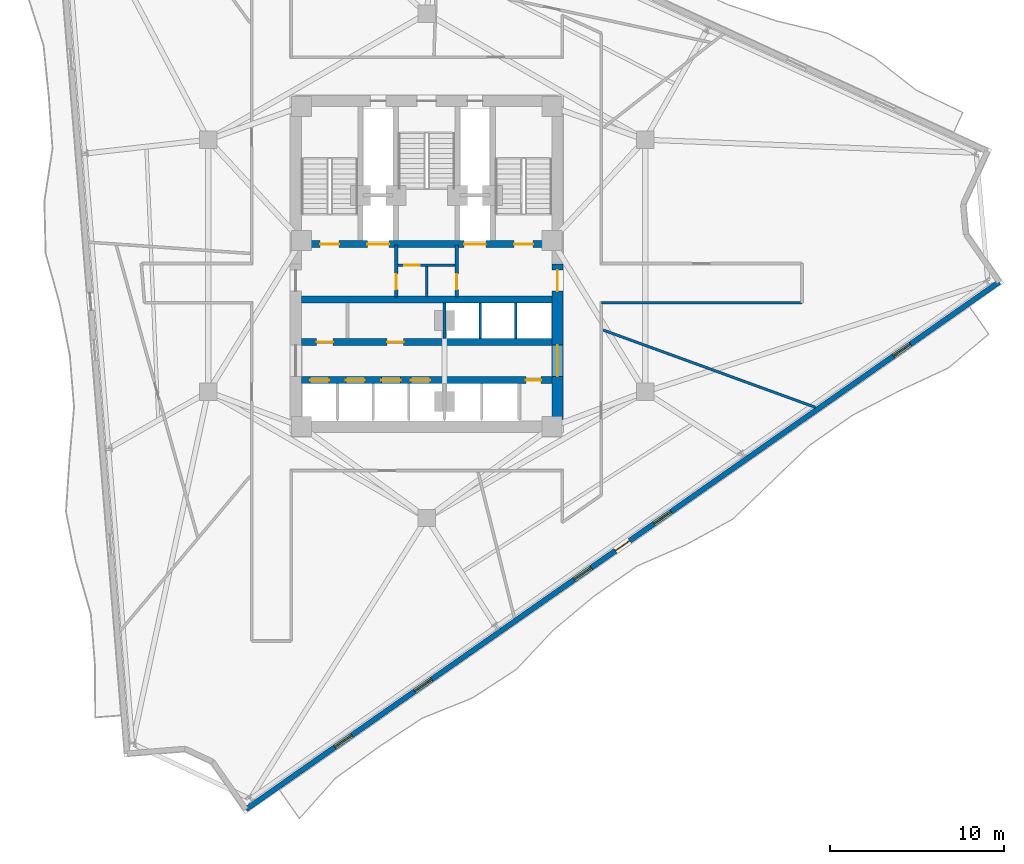
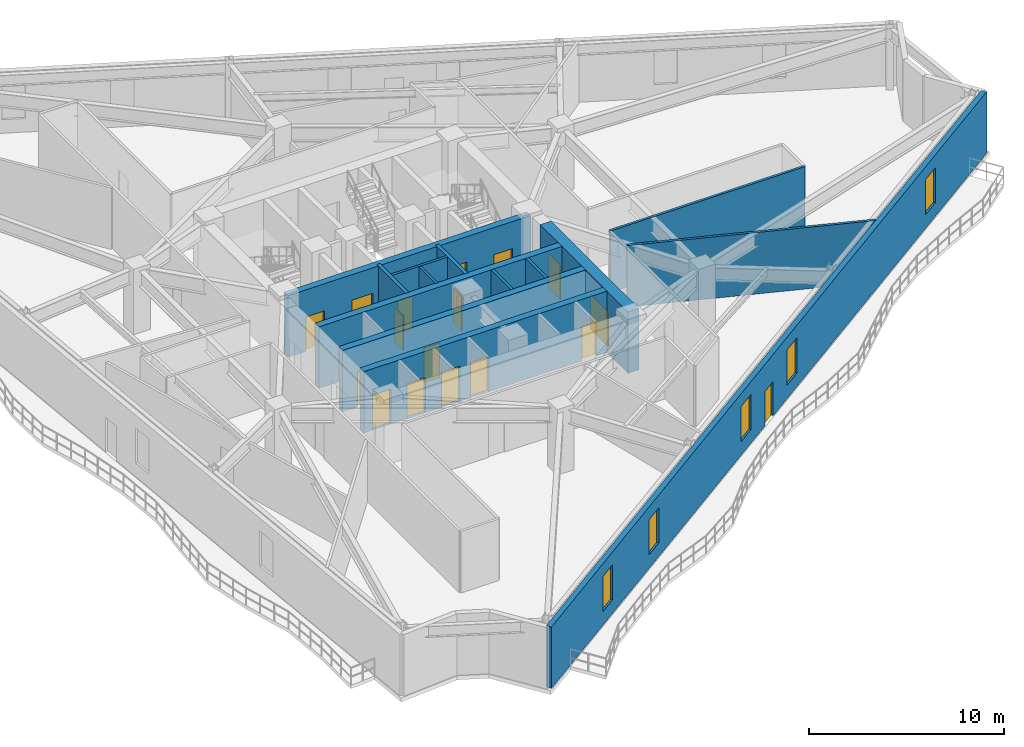
# One storey, part 5 of 11: 17 doors, 15 walls, 5 windows, 22 openings.
"""IFC4 building model written with IfcOpenShell, lengths in metres."""

from ifc_helpers import new_model, si_unit, direction, frame, frame_2d, origin, place, context, subcontext, project, spatial, rectangle, extrude, material, layer, layer_set, type_object, element, fill, save


model = new_model("IFC4")

# Units and contexts
model_context = context("Model", 3, precision=1e-05, world=origin(), true_north=direction((0.0, 1.0)))
body_context = subcontext(model_context, "Body", "Model", "MODEL_VIEW")
ifc_project = project(units=[si_unit("LENGTHUNIT", "METRE"), si_unit("AREAUNIT", "SQUARE_METRE"), si_unit("VOLUMEUNIT", "CUBIC_METRE"), si_unit("PLANEANGLEUNIT", "RADIAN"), si_unit("MASSUNIT", "GRAM", prefix="KILO")], contexts=[model_context])

# Site, building, storey
site_placement = place(None, origin())
site = spatial("IfcSite", under=ifc_project, at=site_placement, CompositionType="ELEMENT")
building_placement = place(site_placement, origin())
building = spatial("IfcBuilding", under=site, at=building_placement, Name="Apsidion Concourse Tower", CompositionType="ELEMENT")
storey_placement = place(building_placement, frame((0.0, 0.0, 206.5)))
storey = spatial("IfcBuildingStorey", under=building, at=storey_placement, Name="L48", CompositionType="ELEMENT", Elevation=206.5)

# Wall, openings, door, windows
ifc_material_1 = material(Name="Precast concrete C40/50", Category="concrete")
ifc_layer_1 = layer(ifc_material_1, 0.300048828125)
ifc_layer_set_1 = layer_set([ifc_layer_1], Name="Precast concrete C40/50")
wall_type_1 = type_object("IfcWallType", Name="WL-EXT-300", PredefinedType="STANDARD", material=ifc_layer_set_1)
wall_1_placement = place(storey_placement, frame((32.91845703125, -0.930908203125, 0.0), z_axis=(0.0, 0.0, 1.0), x_axis=(-0.819151415939, -0.573577333727, 0.0)))
wall_1 = element("IfcWall", 1, at=wall_1_placement, inside=storey, type_object=wall_type_1, Name="L48 Precast Stone Facade Wall 05", PredefinedType="STANDARD", context=body_context, shape_type="SweptSolid", body=[
    extrude(rectangle(XDim=52.862548828125, YDim=0.300048828125, at=frame_2d((26.43115234375, 0.0))), origin(), (0.0, 0.0, 1.0), 3.85009765625),
])
opening_1_placement = place(wall_1_placement, frame((25.931396484375, 0.0, 0.0)))
opening_1 = element("IfcOpeningElement", 2, at=opening_1_placement, cuts=wall_1, Name="Opening D-T1R", PredefinedType="OPENING", context=body_context, shape_type="SweptSolid", body=[
    extrude(rectangle(XDim=1.0, YDim=2.14990234375, at=frame_2d((0.5, 1.074951171875))), frame((0.0, 0.16015625, 0.0), z_axis=(0.0, -1.0, 0.0), x_axis=(1.0, 0.0, 0.0)), (0.0, 0.0, 1.0), 0.320068359375),
])
opening_2_placement = place(wall_1_placement, frame((6.231201171875, 0.0, 0.85009765625)))
opening_2 = element("IfcOpeningElement", 3, at=opening_2_placement, cuts=wall_1, Name="Opening WN-06", PredefinedType="OPENING", context=body_context, shape_type="SweptSolid", body=[
    extrude(rectangle(XDim=1.199951171875, YDim=2.199951171875, at=frame_2d((0.60009765625, 1.10009765625))), frame((0.0, 0.16015625, 0.0), z_axis=(0.0, -1.0, 0.0), x_axis=(1.0, 0.0, 0.0)), (0.0, 0.0, 1.0), 0.320068359375),
])
opening_3_placement = place(wall_1_placement, frame((23.03125, 0.0, 0.85009765625)))
opening_3 = element("IfcOpeningElement", 4, at=opening_3_placement, cuts=wall_1, Name="Opening WN-06", PredefinedType="OPENING", context=body_context, shape_type="SweptSolid", body=[
    extrude(rectangle(XDim=1.199951171875, YDim=2.199951171875, at=frame_2d((0.60009765625, 1.10009765625))), frame((0.0, 0.16015625, 0.0), z_axis=(0.0, -1.0, 0.0), x_axis=(1.0, 0.0, 0.0)), (0.0, 0.0, 1.0), 0.320068359375),
])
opening_4_placement = place(wall_1_placement, frame((28.63134765625, 0.0, 0.85009765625)))
opening_4 = element("IfcOpeningElement", 5, at=opening_4_placement, cuts=wall_1, Name="Opening WN-06", PredefinedType="OPENING", context=body_context, shape_type="SweptSolid", body=[
    extrude(rectangle(XDim=1.199951171875, YDim=2.199951171875, at=frame_2d((0.60009765625, 1.10009765625))), frame((0.0, 0.16015625, 0.0), z_axis=(0.0, -1.0, 0.0), x_axis=(1.0, 0.0, 0.0)), (0.0, 0.0, 1.0), 0.320068359375),
])
opening_5_placement = place(wall_1_placement, frame((39.831298828125, 0.0, 0.85009765625)))
opening_5 = element("IfcOpeningElement", 6, at=opening_5_placement, cuts=wall_1, Name="Opening WN-06", PredefinedType="OPENING", context=body_context, shape_type="SweptSolid", body=[
    extrude(rectangle(XDim=1.199951171875, YDim=2.199951171875, at=frame_2d((0.60009765625, 1.10009765625))), frame((0.0, 0.16015625, 0.0), z_axis=(0.0, -1.0, 0.0), x_axis=(1.0, 0.0, 0.0)), (0.0, 0.0, 1.0), 0.320068359375),
])
opening_6_placement = place(wall_1_placement, frame((45.431396484375, 0.0, 0.85009765625)))
opening_6 = element("IfcOpeningElement", 7, at=opening_6_placement, cuts=wall_1, Name="Opening WN-06", PredefinedType="OPENING", context=body_context, shape_type="SweptSolid", body=[
    extrude(rectangle(XDim=1.199951171875, YDim=2.199951171875, at=frame_2d((0.60009765625, 1.10009765625))), frame((0.0, 0.16015625, 0.0), z_axis=(0.0, -1.0, 0.0), x_axis=(1.0, 0.0, 0.0)), (0.0, 0.0, 1.0), 0.320068359375),
])
ifc_material_2 = material(Name="Anodised aluminium EN AW-6063 T6", Category="aluminium")
door_type_1 = type_object("IfcDoorType", Name="DR-TER-1022R", OperationType="SINGLE_SWING_RIGHT", PredefinedType="DOOR", material=ifc_material_2)
door_1_placement = place(opening_1_placement, origin())
door_1 = element("IfcDoor", 8, at=door_1_placement, inside=storey, type_object=door_type_1, Name="L48 Balcony Access Door 2", OperationType="SINGLE_SWING_RIGHT", OverallHeight=2.14990234375, OverallWidth=1.0, PredefinedType="DOOR", context=body_context, shape_type="SweptSolid", body=[
    extrude(rectangle(XDim=1.0, YDim=2.14990234375, at=frame_2d((0.5, 1.074951171875))), frame((0.0, 0.02490234375, 0.0), z_axis=(0.0, -1.0, 0.0), x_axis=(1.0, 0.0, 0.0)), (0.0, 0.0, 1.0), 0.050048828125),
])
fill(opening_1, door_1)
ifc_material_3 = material(Name="Insulated laminated low-E glass", Category="glass")
window_type = type_object("IfcWindowType", Name="WN-OFF-1224", PartitioningType="SINGLE_PANEL", PredefinedType="WINDOW", material=ifc_material_3)
window_1_placement = place(opening_2_placement, origin())
window_1 = element("IfcWindow", 9, at=window_1_placement, inside=storey, type_object=window_type, Name="L48 Punched Facade Window 5-01", OverallHeight=2.199951171875, OverallWidth=1.199951171875, PartitioningType="SINGLE_PANEL", PredefinedType="WINDOW", context=body_context, shape_type="SweptSolid", body=[
    extrude(rectangle(XDim=1.199951171875, YDim=2.199951171875, at=frame_2d((0.60009765625, 1.10009765625))), frame((0.0, 0.030029296875, 0.0), z_axis=(0.0, -1.0, 0.0), x_axis=(1.0, 0.0, 0.0)), (0.0, 0.0, 1.0), 0.06005859375),
])
fill(opening_2, window_1)
window_2_placement = place(opening_3_placement, origin())
window_2 = element("IfcWindow", 10, at=window_2_placement, inside=storey, type_object=window_type, Name="L48 Punched Facade Window 5-04", OverallHeight=2.199951171875, OverallWidth=1.199951171875, PartitioningType="SINGLE_PANEL", PredefinedType="WINDOW", context=body_context, shape_type="SweptSolid", body=[
    extrude(rectangle(XDim=1.199951171875, YDim=2.199951171875, at=frame_2d((0.60009765625, 1.10009765625))), frame((0.0, 0.030029296875, 0.0), z_axis=(0.0, -1.0, 0.0), x_axis=(1.0, 0.0, 0.0)), (0.0, 0.0, 1.0), 0.06005859375),
])
fill(opening_3, window_2)
window_3_placement = place(opening_4_placement, origin())
window_3 = element("IfcWindow", 11, at=window_3_placement, inside=storey, type_object=window_type, Name="L48 Punched Facade Window 5-05", OverallHeight=2.199951171875, OverallWidth=1.199951171875, PartitioningType="SINGLE_PANEL", PredefinedType="WINDOW", context=body_context, shape_type="SweptSolid", body=[
    extrude(rectangle(XDim=1.199951171875, YDim=2.199951171875, at=frame_2d((0.60009765625, 1.10009765625))), frame((0.0, 0.030029296875, 0.0), z_axis=(0.0, -1.0, 0.0), x_axis=(1.0, 0.0, 0.0)), (0.0, 0.0, 1.0), 0.06005859375),
])
fill(opening_4, window_3)
window_4_placement = place(opening_5_placement, origin())
window_4 = element("IfcWindow", 12, at=window_4_placement, inside=storey, type_object=window_type, Name="L48 Punched Facade Window 5-07", OverallHeight=2.199951171875, OverallWidth=1.199951171875, PartitioningType="SINGLE_PANEL", PredefinedType="WINDOW", context=body_context, shape_type="SweptSolid", body=[
    extrude(rectangle(XDim=1.199951171875, YDim=2.199951171875, at=frame_2d((0.60009765625, 1.10009765625))), frame((0.0, 0.030029296875, 0.0), z_axis=(0.0, -1.0, 0.0), x_axis=(1.0, 0.0, 0.0)), (0.0, 0.0, 1.0), 0.06005859375),
])
fill(opening_5, window_4)
window_5_placement = place(opening_6_placement, origin())
window_5 = element("IfcWindow", 13, at=window_5_placement, inside=storey, type_object=window_type, Name="L48 Punched Facade Window 5-08", OverallHeight=2.199951171875, OverallWidth=1.199951171875, PartitioningType="SINGLE_PANEL", PredefinedType="WINDOW", context=body_context, shape_type="SweptSolid", body=[
    extrude(rectangle(XDim=1.199951171875, YDim=2.199951171875, at=frame_2d((0.60009765625, 1.10009765625))), frame((0.0, 0.030029296875, 0.0), z_axis=(0.0, -1.0, 0.0), x_axis=(1.0, 0.0, 0.0)), (0.0, 0.0, 1.0), 0.06005859375),
])
fill(opening_6, window_5)

# Walls
ifc_material_4 = material(Name="Gypsum plasterboard partition")
ifc_layer_2 = layer(ifc_material_4, 0.14990234375)
ifc_layer_set_2 = layer_set([ifc_layer_2], Name="Gypsum plasterboard partition")
wall_type_2 = type_object("IfcWallType", Name="WL-INT-PAR-150", PredefinedType="PARTITIONING", material=ifc_layer_set_2)
for number, where, z_axis, x_axis, name in (
    (14, (3.074951171875, -4.179931640625, 0.0), (0.0, 0.0, 1.0), (0.0, 1.0, 0.0), "L48 Interior Partition WL-L48-B3DIV-1"),
    (15, (5.125, -4.179931640625, 0.0), (0.0, 0.0, 1.0), (0.0, 1.0, 0.0), "L48 Interior Partition WL-L48-B3DIV-2"),
):
    element("IfcWall", number, at=place(storey_placement, frame(where, z_axis=z_axis, x_axis=x_axis)), inside=storey, type_object=wall_type_2, Name=name, PredefinedType="PARTITIONING", context=body_context, shape_type="SweptSolid", body=[
        extrude(rectangle(XDim=2.030029296875, YDim=0.14990234375, at=frame_2d((1.01513671875, 0.0))), origin(), (0.0, 0.0, 1.0), 3.85009765625),
    ])

# Wall, opening, door
wall_2_placement = place(storey_placement, frame((-1.639892578125, 0.0400390625, 0.0), z_axis=(0.0, 0.0, 1.0), x_axis=(1.0, 0.0, 0.0)))
wall_2 = element("IfcWall", 16, at=wall_2_placement, inside=storey, type_object=wall_type_2, Name="L48 Interior Partition WL-L48-K4H", PredefinedType="PARTITIONING", context=body_context, shape_type="SweptSolid", body=[
    extrude(rectangle(XDim=3.27978515625, YDim=0.14990234375, at=frame_2d((1.639892578125, 0.0))), origin(), (0.0, 0.0, 1.0), 3.85009765625),
])
opening_7_placement = place(wall_2_placement, frame((0.360107421875, 0.0, 0.0)))
opening_7 = element("IfcOpeningElement", 17, at=opening_7_placement, cuts=wall_2, Name="Opening D-03L", PredefinedType="OPENING", context=body_context, shape_type="SweptSolid", body=[
    extrude(rectangle(XDim=0.8798828125, YDim=2.10009765625, at=frame_2d((0.43994140625, 1.050048828125))), frame((0.0, 0.0849609375, 0.0), z_axis=(0.0, -1.0, 0.0), x_axis=(1.0, 0.0, 0.0)), (0.0, 0.0, 1.0), 0.169921875),
])
door_type_2 = type_object("IfcDoorType", Name="DR-INT-D03L", OperationType="SINGLE_SWING_LEFT", PredefinedType="DOOR", material=ifc_material_2)
door_2_placement = place(opening_7_placement, origin())
door_2 = element("IfcDoor", 18, at=door_2_placement, inside=storey, type_object=door_type_2, Name="L48 Core Telecoms Door", OperationType="SINGLE_SWING_LEFT", OverallHeight=2.10009765625, OverallWidth=0.8798828125, PredefinedType="DOOR", context=body_context, shape_type="SweptSolid", body=[
    extrude(rectangle(XDim=0.8798828125, YDim=2.10009765625, at=frame_2d((0.43994140625, 1.050048828125))), frame((0.0, 0.02490234375, 0.0), z_axis=(0.0, -1.0, 0.0), x_axis=(1.0, 0.0, 0.0)), (0.0, 0.0, 1.0), 0.050048828125),
])
fill(opening_7, door_2)

# Walls
wall_3_placement = place(storey_placement, frame((0.0, -1.780029296875, 0.0), z_axis=(0.0, 0.0, 1.0), x_axis=(0.0, 1.0, 0.0)))
element("IfcWall", 19, at=wall_3_placement, inside=storey, type_object=wall_type_2, Name="L48 Interior Partition WL-L48-K4V", PredefinedType="PARTITIONING", context=body_context, shape_type="SweptSolid", body=[
    extrude(rectangle(XDim=1.72998046875, YDim=0.14990234375, at=frame_2d((0.864990234375, 0.0))), origin(), (0.0, 0.0, 1.0), 3.85009765625),
])
wall_4_placement = place(storey_placement, frame((21.580078125, -2.1298828125, 0.0), z_axis=(0.0, 0.0, 1.0), x_axis=(-1.0, 0.0, 0.0)))
element("IfcWall", 20, at=wall_4_placement, inside=storey, type_object=wall_type_2, Name="L48 Interior Partition WL-L48-CORR-19", PredefinedType="PARTITIONING", context=body_context, shape_type="SweptSolid", body=[
    extrude(rectangle(XDim=11.530029296875, YDim=0.14990234375, at=frame_2d((5.76513671875, 0.0))), origin(), (0.0, 0.0, 1.0), 3.85009765625),
])
wall_5_placement = place(storey_placement, frame((10.155029296875, -3.696044921875, 0.0), z_axis=(0.0, 0.0, 1.0), x_axis=(0.939688978096, -0.342030151367, 0.0)))
element("IfcWall", 21, at=wall_5_placement, inside=storey, type_object=wall_type_2, Name="L48 Interior Partition WL-L48-RAD-07-1", PredefinedType="PARTITIONING", context=body_context, shape_type="SweptSolid", body=[
    extrude(rectangle(XDim=12.97265625, YDim=0.14990234375, at=frame_2d((6.486328125, 0.0))), origin(), (0.0, 0.0, 1.0), 3.85009765625),
])
ifc_layer_3 = layer(ifc_material_4, 0.179931640625)
ifc_layer_set_3 = layer_set([ifc_layer_3], Name="Gypsum plasterboard partition")
wall_type_3 = type_object("IfcWallType", Name="WL-INT-PAR-180", PredefinedType="PARTITIONING", material=ifc_layer_set_3)
wall_6_placement = place(storey_placement, frame((1.02490234375, -4.179931640625, 0.0), z_axis=(0.0, 0.0, 1.0), x_axis=(0.0, 1.0, 0.0)))
element("IfcWall", 22, at=wall_6_placement, inside=storey, type_object=wall_type_3, Name="L48 Interior Partition WL-L48-B1END", PredefinedType="PARTITIONING", context=body_context, shape_type="SweptSolid", body=[
    extrude(rectangle(XDim=2.030029296875, YDim=0.179931640625, at=frame_2d((1.01513671875, 0.0))), origin(), (0.0, 0.0, 1.0), 2.89794921875),
])

# Wall, opening, door
ifc_layer_4 = layer(ifc_material_4, 0.199951171875)
ifc_layer_set_4 = layer_set([ifc_layer_4], Name="Gypsum plasterboard partition")
wall_type_4 = type_object("IfcWallType", Name="WL-INT-PAR-200", PredefinedType="PARTITIONING", material=ifc_layer_set_4)
wall_7_placement = place(storey_placement, frame((-1.739990234375, -1.780029296875, 0.0), z_axis=(0.0, 0.0, 1.0), x_axis=(0.0, 1.0, 0.0)))
wall_7 = element("IfcWall", 23, at=wall_7_placement, inside=storey, type_object=wall_type_4, Name="L48 Interior Partition WL-L48-FF1-E", PredefinedType="PARTITIONING", context=body_context, shape_type="SweptSolid", body=[
    extrude(rectangle(XDim=2.97998046875, YDim=0.199951171875, at=frame_2d((1.489990234375, 0.0))), origin(), (0.0, 0.0, 1.0), 3.85009765625),
])
opening_8_placement = place(wall_7_placement, frame((0.419921875, 0.0, 0.0)))
opening_8 = element("IfcOpeningElement", 24, at=opening_8_placement, cuts=wall_7, Name="Opening D-05R", PredefinedType="OPENING", context=body_context, shape_type="SweptSolid", body=[
    extrude(rectangle(XDim=0.8798828125, YDim=2.14990234375, at=frame_2d((0.43994140625, 1.074951171875))), frame((0.0, 0.10986328125, 0.0), z_axis=(0.0, -1.0, 0.0), x_axis=(1.0, 0.0, 0.0)), (0.0, 0.0, 1.0), 0.219970703125),
])
ifc_material_5 = material(Name="Brushed stainless steel 316", Category="steel")
door_type_3 = type_object("IfcDoorType", Name="DR-INT-D05R", OperationType="SINGLE_SWING_RIGHT", PredefinedType="DOOR", material=ifc_material_5)
door_3_placement = place(opening_8_placement, origin())
door_3 = element("IfcDoor", 25, at=door_3_placement, inside=storey, type_object=door_type_3, Name="L48 Core Switch Room Door", OperationType="SINGLE_SWING_RIGHT", OverallHeight=2.14990234375, OverallWidth=0.8798828125, PredefinedType="DOOR", context=body_context, shape_type="SweptSolid", body=[
    extrude(rectangle(XDim=0.8798828125, YDim=2.14990234375, at=frame_2d((0.43994140625, 1.074951171875))), frame((0.0, 0.02490234375, 0.0), z_axis=(0.0, -1.0, 0.0), x_axis=(1.0, 0.0, 0.0)), (0.0, 0.0, 1.0), 0.050048828125),
])
fill(opening_8, door_3)

wall_8_placement = place(storey_placement, frame((1.739990234375, -1.780029296875, 0.0), z_axis=(0.0, 0.0, 1.0), x_axis=(0.0, 1.0, 0.0)))
wall_8 = element("IfcWall", 26, at=wall_8_placement, inside=storey, type_object=wall_type_4, Name="L48 Interior Partition WL-L48-FF2-W", PredefinedType="PARTITIONING", context=body_context, shape_type="SweptSolid", body=[
    extrude(rectangle(XDim=2.97998046875, YDim=0.199951171875, at=frame_2d((1.489990234375, 0.0))), origin(), (0.0, 0.0, 1.0), 3.85009765625),
])
opening_9_placement = place(wall_8_placement, frame((0.419921875, 0.0, 0.0)))
opening_9 = element("IfcOpeningElement", 27, at=opening_9_placement, cuts=wall_8, Name="Opening D-05L", PredefinedType="OPENING", context=body_context, shape_type="SweptSolid", body=[
    extrude(rectangle(XDim=0.8798828125, YDim=2.14990234375, at=frame_2d((0.43994140625, 1.074951171875))), frame((0.0, 0.10986328125, 0.0), z_axis=(0.0, -1.0, 0.0), x_axis=(1.0, 0.0, 0.0)), (0.0, 0.0, 1.0), 0.219970703125),
])
door_type_4 = type_object("IfcDoorType", Name="DR-INT-D05L", OperationType="SINGLE_SWING_LEFT", PredefinedType="DOOR", material=ifc_material_5)
door_4_placement = place(opening_9_placement, origin())
door_4 = element("IfcDoor", 28, at=door_4_placement, inside=storey, type_object=door_type_4, Name="L48 Core First Aid Door", OperationType="SINGLE_SWING_LEFT", OverallHeight=2.14990234375, OverallWidth=0.8798828125, PredefinedType="DOOR", context=body_context, shape_type="SweptSolid", body=[
    extrude(rectangle(XDim=0.8798828125, YDim=2.14990234375, at=frame_2d((0.43994140625, 1.074951171875))), frame((0.0, 0.02490234375, 0.0), z_axis=(0.0, -1.0, 0.0), x_axis=(1.0, 0.0, 0.0)), (0.0, 0.0, 1.0), 0.050048828125),
])
fill(opening_9, door_4)

# Wall, openings, doors
ifc_material_6 = material(Name="Concrete C50/60", Category="concrete")
ifc_layer_5 = layer(ifc_material_6, 0.39990234375)
ifc_layer_set_5 = layer_set([ifc_layer_5], Name="Concrete C50/60")
wall_type_5 = type_object("IfcWallType", Name="WL-SH-400", PredefinedType="SHEAR", material=ifc_layer_set_5)
wall_9_placement = place(storey_placement, frame((-7.199951171875, 1.25, 0.0), z_axis=(0.0, 0.0, 1.0), x_axis=(1.0, 0.0, 0.0)))
wall_9 = element("IfcWall", 29, at=wall_9_placement, inside=storey, type_object=wall_type_5, Name="L48 Central Core Shear Wall M1", PredefinedType="SHEAR", context=body_context, shape_type="SweptSolid", body=[
    extrude(rectangle(XDim=14.39990234375, YDim=0.39990234375, at=frame_2d((7.199951171875, 0.0))), origin(), (0.0, 0.0, 1.0), 3.85009765625),
])
opening_10_placement = place(wall_9_placement, frame((3.794921875, 0.0, 0.0)))
opening_10 = element("IfcOpeningElement", 30, at=opening_10_placement, cuts=wall_9, Name="Opening LD-FF", PredefinedType="OPENING", context=body_context, shape_type="SweptSolid", body=[
    extrude(rectangle(XDim=1.25, YDim=2.25, at=frame_2d((0.625, 1.125))), frame((0.0, 0.2099609375, 0.0), z_axis=(0.0, -1.0, 0.0), x_axis=(1.0, 0.0, 0.0)), (0.0, 0.0, 1.0), 0.419921875),
])
opening_11_placement = place(wall_9_placement, frame((9.35498046875, 0.0, 0.0)))
opening_11 = element("IfcOpeningElement", 31, at=opening_11_placement, cuts=wall_9, Name="Opening LD-FF", PredefinedType="OPENING", context=body_context, shape_type="SweptSolid", body=[
    extrude(rectangle(XDim=1.25, YDim=2.25, at=frame_2d((0.625, 1.125))), frame((0.0, 0.2099609375, 0.0), z_axis=(0.0, -1.0, 0.0), x_axis=(1.0, 0.0, 0.0)), (0.0, 0.0, 1.0), 0.419921875),
])
opening_12_placement = place(wall_9_placement, frame((1.074951171875, 0.0, 0.0)))
opening_12 = element("IfcOpeningElement", 32, at=opening_12_placement, cuts=wall_9, Name="Opening D-STL", PredefinedType="OPENING", context=body_context, shape_type="SweptSolid", body=[
    extrude(rectangle(XDim=1.10009765625, YDim=2.14990234375, at=frame_2d((0.550048828125, 1.074951171875))), frame((0.0, 0.2099609375, 0.0), z_axis=(0.0, -1.0, 0.0), x_axis=(1.0, 0.0, 0.0)), (0.0, 0.0, 1.0), 0.419921875),
])
opening_13_placement = place(wall_9_placement, frame((12.22509765625, 0.0, 0.0)))
opening_13 = element("IfcOpeningElement", 33, at=opening_13_placement, cuts=wall_9, Name="Opening D-STR", PredefinedType="OPENING", context=body_context, shape_type="SweptSolid", body=[
    extrude(rectangle(XDim=1.10009765625, YDim=2.14990234375, at=frame_2d((0.550048828125, 1.074951171875))), frame((0.0, 0.2099609375, 0.0), z_axis=(0.0, -1.0, 0.0), x_axis=(1.0, 0.0, 0.0)), (0.0, 0.0, 1.0), 0.419921875),
])
door_type_5 = type_object("IfcDoorType", Name="DR-INT-ST1L", OperationType="SINGLE_SWING_LEFT", PredefinedType="DOOR", material=ifc_material_5)
door_5_placement = place(opening_12_placement, origin())
door_5 = element("IfcDoor", 34, at=door_5_placement, inside=storey, type_object=door_type_5, Name="L48 Core Exit Stair ST1 Door", OperationType="SINGLE_SWING_LEFT", OverallHeight=2.14990234375, OverallWidth=1.10009765625, PredefinedType="DOOR", context=body_context, shape_type="SweptSolid", body=[
    extrude(rectangle(XDim=1.10009765625, YDim=2.14990234375, at=frame_2d((0.550048828125, 1.074951171875))), frame((0.0, 0.02490234375, 0.0), z_axis=(0.0, -1.0, 0.0), x_axis=(1.0, 0.0, 0.0)), (0.0, 0.0, 1.0), 0.050048828125),
])
fill(opening_12, door_5)
door_type_6 = type_object("IfcDoorType", Name="DR-INT-ST1R", OperationType="SINGLE_SWING_RIGHT", PredefinedType="DOOR", material=ifc_material_5)
door_6_placement = place(opening_13_placement, origin())
door_6 = element("IfcDoor", 35, at=door_6_placement, inside=storey, type_object=door_type_6, Name="L48 Core Exit Stair ST2 Door", OperationType="SINGLE_SWING_RIGHT", OverallHeight=2.14990234375, OverallWidth=1.10009765625, PredefinedType="DOOR", context=body_context, shape_type="SweptSolid", body=[
    extrude(rectangle(XDim=1.10009765625, YDim=2.14990234375, at=frame_2d((0.550048828125, 1.074951171875))), frame((0.0, 0.02490234375, 0.0), z_axis=(0.0, -1.0, 0.0), x_axis=(1.0, 0.0, 0.0)), (0.0, 0.0, 1.0), 0.050048828125),
])
fill(opening_13, door_6)
door_type_7 = type_object("IfcDoorType", Name="DR-LD-FSAE", OperationType="DOUBLE_DOOR_SLIDING", PredefinedType="DOOR", material=ifc_material_5)
door_7_placement = place(opening_10_placement, origin())
door_7 = element("IfcDoor", 36, at=door_7_placement, inside=storey, type_object=door_type_7, Name="L48 Lift Landing Door FF1", OperationType="DOUBLE_DOOR_SLIDING", OverallHeight=2.25, OverallWidth=1.25, PredefinedType="DOOR", context=body_context, shape_type="SweptSolid", body=[
    extrude(rectangle(XDim=1.25, YDim=2.25, at=frame_2d((0.625, 1.125))), frame((0.0, 0.02490234375, 0.0), z_axis=(0.0, -1.0, 0.0), x_axis=(1.0, 0.0, 0.0)), (0.0, 0.0, 1.0), 0.050048828125),
])
fill(opening_10, door_7)
door_8_placement = place(opening_11_placement, origin())
door_8 = element("IfcDoor", 37, at=door_8_placement, inside=storey, type_object=door_type_7, Name="L48 Lift Landing Door FF2", OperationType="DOUBLE_DOOR_SLIDING", OverallHeight=2.25, OverallWidth=1.25, PredefinedType="DOOR", context=body_context, shape_type="SweptSolid", body=[
    extrude(rectangle(XDim=1.25, YDim=2.25, at=frame_2d((0.625, 1.125))), frame((0.0, 0.02490234375, 0.0), z_axis=(0.0, -1.0, 0.0), x_axis=(1.0, 0.0, 0.0)), (0.0, 0.0, 1.0), 0.050048828125),
])
fill(opening_11, door_8)

# Wall
wall_10_placement = place(storey_placement, frame((-7.199951171875, -1.949951171875, 0.0), z_axis=(0.0, 0.0, 1.0), x_axis=(1.0, 0.0, 0.0)))
element("IfcWall", 38, at=wall_10_placement, inside=storey, type_object=wall_type_5, Name="L48 Central Core Shear Wall M2", PredefinedType="SHEAR", context=body_context, shape_type="SweptSolid", body=[
    extrude(rectangle(XDim=14.39990234375, YDim=0.39990234375, at=frame_2d((7.199951171875, 0.0))), origin(), (0.0, 0.0, 1.0), 3.85009765625),
])

# Wall, openings, doors
wall_11_placement = place(storey_placement, frame((-7.199951171875, -4.3798828125, 0.0), z_axis=(0.0, 0.0, 1.0), x_axis=(1.0, 0.0, 0.0)))
wall_11 = element("IfcWall", 39, at=wall_11_placement, inside=storey, type_object=wall_type_5, Name="L48 Central Core Shear Wall LA", PredefinedType="SHEAR", context=body_context, shape_type="SweptSolid", body=[
    extrude(rectangle(XDim=14.39990234375, YDim=0.39990234375, at=frame_2d((7.199951171875, 0.0))), origin(), (0.0, 0.0, 1.0), 3.85009765625),
])
opening_14_placement = place(wall_11_placement, frame((0.875, 0.0, 0.0)))
opening_14 = element("IfcOpeningElement", 40, at=opening_14_placement, cuts=wall_11, Name="Opening D-04L", PredefinedType="OPENING", context=body_context, shape_type="SweptSolid", body=[
    extrude(rectangle(XDim=0.949951171875, YDim=2.14990234375, at=frame_2d((0.47509765625, 1.074951171875))), frame((0.0, 0.2099609375, 0.0), z_axis=(0.0, -1.0, 0.0), x_axis=(1.0, 0.0, 0.0)), (0.0, 0.0, 1.0), 0.419921875),
])
opening_15_placement = place(wall_11_placement, frame((4.925048828125, 0.0, 0.0)))
opening_15 = element("IfcOpeningElement", 41, at=opening_15_placement, cuts=wall_11, Name="Opening D-04R", PredefinedType="OPENING", context=body_context, shape_type="SweptSolid", body=[
    extrude(rectangle(XDim=0.949951171875, YDim=2.14990234375, at=frame_2d((0.47509765625, 1.074951171875))), frame((0.0, 0.2099609375, 0.0), z_axis=(0.0, -1.0, 0.0), x_axis=(1.0, 0.0, 0.0)), (0.0, 0.0, 1.0), 0.419921875),
])
door_type_8 = type_object("IfcDoorType", Name="DR-INT-D04L", OperationType="SINGLE_SWING_LEFT", PredefinedType="DOOR", material=ifc_material_5)
door_9_placement = place(opening_14_placement, origin())
door_9 = element("IfcDoor", 42, at=door_9_placement, inside=storey, type_object=door_type_8, Name="L48 Core Supply Store Door", OperationType="SINGLE_SWING_LEFT", OverallHeight=2.14990234375, OverallWidth=0.949951171875, PredefinedType="DOOR", context=body_context, shape_type="SweptSolid", body=[
    extrude(rectangle(XDim=0.949951171875, YDim=2.14990234375, at=frame_2d((0.47509765625, 1.074951171875))), frame((0.0, 0.02490234375, 0.0), z_axis=(0.0, -1.0, 0.0), x_axis=(1.0, 0.0, 0.0)), (0.0, 0.0, 1.0), 0.050048828125),
])
fill(opening_14, door_9)
door_type_9 = type_object("IfcDoorType", Name="DR-INT-D04R", OperationType="SINGLE_SWING_RIGHT", PredefinedType="DOOR", material=ifc_material_5)
door_10_placement = place(opening_15_placement, origin())
door_10 = element("IfcDoor", 43, at=door_10_placement, inside=storey, type_object=door_type_9, Name="L48 Core Data and Print Room Door", OperationType="SINGLE_SWING_RIGHT", OverallHeight=2.14990234375, OverallWidth=0.949951171875, PredefinedType="DOOR", context=body_context, shape_type="SweptSolid", body=[
    extrude(rectangle(XDim=0.949951171875, YDim=2.14990234375, at=frame_2d((0.47509765625, 1.074951171875))), frame((0.0, 0.02490234375, 0.0), z_axis=(0.0, -1.0, 0.0), x_axis=(1.0, 0.0, 0.0)), (0.0, 0.0, 1.0), 0.050048828125),
])
fill(opening_15, door_10)

wall_12_placement = place(storey_placement, frame((-7.199951171875, -6.570068359375, 0.0), z_axis=(0.0, 0.0, 1.0), x_axis=(1.0, 0.0, 0.0)))
wall_12 = element("IfcWall", 44, at=wall_12_placement, inside=storey, type_object=wall_type_5, Name="L48 Central Core Shear Wall LB", PredefinedType="SHEAR", context=body_context, shape_type="SweptSolid", body=[
    extrude(rectangle(XDim=14.39990234375, YDim=0.39990234375, at=frame_2d((7.199951171875, 0.0))), origin(), (0.0, 0.0, 1.0), 3.85009765625),
])
opening_16_placement = place(wall_12_placement, frame((0.5, 0.0, 0.0)))
opening_16 = element("IfcOpeningElement", 45, at=opening_16_placement, cuts=wall_12, Name="Opening LD-P1", PredefinedType="OPENING", context=body_context, shape_type="SweptSolid", body=[
    extrude(rectangle(XDim=1.10009765625, YDim=2.199951171875, at=frame_2d((0.550048828125, 1.10009765625))), frame((0.0, 0.2099609375, 0.0), z_axis=(0.0, -1.0, 0.0), x_axis=(1.0, 0.0, 0.0)), (0.0, 0.0, 1.0), 0.419921875),
])
opening_17_placement = place(wall_12_placement, frame((2.550048828125, 0.0, 0.0)))
opening_17 = element("IfcOpeningElement", 46, at=opening_17_placement, cuts=wall_12, Name="Opening LD-P1", PredefinedType="OPENING", context=body_context, shape_type="SweptSolid", body=[
    extrude(rectangle(XDim=1.10009765625, YDim=2.199951171875, at=frame_2d((0.550048828125, 1.10009765625))), frame((0.0, 0.2099609375, 0.0), z_axis=(0.0, -1.0, 0.0), x_axis=(1.0, 0.0, 0.0)), (0.0, 0.0, 1.0), 0.419921875),
])
opening_18_placement = place(wall_12_placement, frame((4.60009765625, 0.0, 0.0)))
opening_18 = element("IfcOpeningElement", 47, at=opening_18_placement, cuts=wall_12, Name="Opening LD-P1", PredefinedType="OPENING", context=body_context, shape_type="SweptSolid", body=[
    extrude(rectangle(XDim=1.10009765625, YDim=2.199951171875, at=frame_2d((0.550048828125, 1.10009765625))), frame((0.0, 0.2099609375, 0.0), z_axis=(0.0, -1.0, 0.0), x_axis=(1.0, 0.0, 0.0)), (0.0, 0.0, 1.0), 0.419921875),
])
opening_19_placement = place(wall_12_placement, frame((6.300048828125, 0.0, 0.0)))
opening_19 = element("IfcOpeningElement", 48, at=opening_19_placement, cuts=wall_12, Name="Opening LD-P1", PredefinedType="OPENING", context=body_context, shape_type="SweptSolid", body=[
    extrude(rectangle(XDim=1.10009765625, YDim=2.199951171875, at=frame_2d((0.550048828125, 1.10009765625))), frame((0.0, 0.2099609375, 0.0), z_axis=(0.0, -1.0, 0.0), x_axis=(1.0, 0.0, 0.0)), (0.0, 0.0, 1.0), 0.419921875),
])
opening_20_placement = place(wall_12_placement, frame((12.909912109375, 0.0, 0.0)))
opening_20 = element("IfcOpeningElement", 49, at=opening_20_placement, cuts=wall_12, Name="Opening D-05L", PredefinedType="OPENING", context=body_context, shape_type="SweptSolid", body=[
    extrude(rectangle(XDim=0.8798828125, YDim=2.14990234375, at=frame_2d((0.43994140625, 1.074951171875))), frame((0.0, 0.2099609375, 0.0), z_axis=(0.0, -1.0, 0.0), x_axis=(1.0, 0.0, 0.0)), (0.0, 0.0, 1.0), 0.419921875),
])
door_11_placement = place(opening_20_placement, origin())
door_11 = element("IfcDoor", 50, at=door_11_placement, inside=storey, type_object=door_type_4, Name="L48 Cleaners Store Door", OperationType="SINGLE_SWING_LEFT", OverallHeight=2.14990234375, OverallWidth=0.8798828125, PredefinedType="DOOR", context=body_context, shape_type="SweptSolid", body=[
    extrude(rectangle(XDim=0.8798828125, YDim=2.14990234375, at=frame_2d((0.43994140625, 1.074951171875))), frame((0.0, 0.02490234375, 0.0), z_axis=(0.0, -1.0, 0.0), x_axis=(1.0, 0.0, 0.0)), (0.0, 0.0, 1.0), 0.050048828125),
])
fill(opening_20, door_11)
door_type_10 = type_object("IfcDoorType", Name="DR-LD-PASS", OperationType="DOUBLE_DOOR_SLIDING", PredefinedType="DOOR", material=ifc_material_5)
door_12_placement = place(opening_16_placement, origin())
door_12 = element("IfcDoor", 51, at=door_12_placement, inside=storey, type_object=door_type_10, Name="L48 Lift Landing Door P5", OperationType="DOUBLE_DOOR_SLIDING", OverallHeight=2.199951171875, OverallWidth=1.10009765625, PredefinedType="DOOR", context=body_context, shape_type="SweptSolid", body=[
    extrude(rectangle(XDim=1.10009765625, YDim=2.199951171875, at=frame_2d((0.550048828125, 1.10009765625))), frame((0.0, 0.02490234375, 0.0), z_axis=(0.0, -1.0, 0.0), x_axis=(1.0, 0.0, 0.0)), (0.0, 0.0, 1.0), 0.050048828125),
])
fill(opening_16, door_12)
door_13_placement = place(opening_17_placement, origin())
door_13 = element("IfcDoor", 52, at=door_13_placement, inside=storey, type_object=door_type_10, Name="L48 Lift Landing Door P6", OperationType="DOUBLE_DOOR_SLIDING", OverallHeight=2.199951171875, OverallWidth=1.10009765625, PredefinedType="DOOR", context=body_context, shape_type="SweptSolid", body=[
    extrude(rectangle(XDim=1.10009765625, YDim=2.199951171875, at=frame_2d((0.550048828125, 1.10009765625))), frame((0.0, 0.02490234375, 0.0), z_axis=(0.0, -1.0, 0.0), x_axis=(1.0, 0.0, 0.0)), (0.0, 0.0, 1.0), 0.050048828125),
])
fill(opening_17, door_13)
door_14_placement = place(opening_18_placement, origin())
door_14 = element("IfcDoor", 53, at=door_14_placement, inside=storey, type_object=door_type_10, Name="L48 Lift Landing Door P7", OperationType="DOUBLE_DOOR_SLIDING", OverallHeight=2.199951171875, OverallWidth=1.10009765625, PredefinedType="DOOR", context=body_context, shape_type="SweptSolid", body=[
    extrude(rectangle(XDim=1.10009765625, YDim=2.199951171875, at=frame_2d((0.550048828125, 1.10009765625))), frame((0.0, 0.02490234375, 0.0), z_axis=(0.0, -1.0, 0.0), x_axis=(1.0, 0.0, 0.0)), (0.0, 0.0, 1.0), 0.050048828125),
])
fill(opening_18, door_14)
door_15_placement = place(opening_19_placement, origin())
door_15 = element("IfcDoor", 54, at=door_15_placement, inside=storey, type_object=door_type_10, Name="L48 Lift Landing Door P8", OperationType="DOUBLE_DOOR_SLIDING", OverallHeight=2.199951171875, OverallWidth=1.10009765625, PredefinedType="DOOR", context=body_context, shape_type="SweptSolid", body=[
    extrude(rectangle(XDim=1.10009765625, YDim=2.199951171875, at=frame_2d((0.550048828125, 1.10009765625))), frame((0.0, 0.02490234375, 0.0), z_axis=(0.0, -1.0, 0.0), x_axis=(1.0, 0.0, 0.0)), (0.0, 0.0, 1.0), 0.050048828125),
])
fill(opening_19, door_15)

ifc_layer_6 = layer(ifc_material_6, 0.64990234375)
ifc_layer_set_6 = layer_set([ifc_layer_6], Name="Concrete C50/60")
wall_type_6 = type_object("IfcWallType", Name="WL-SH-650", PredefinedType="SHEAR", material=ifc_layer_set_6)
wall_13_placement = place(storey_placement, frame((7.52490234375, -8.925048828125, 0.0), z_axis=(0.0, 0.0, 1.0), x_axis=(0.0, 1.0, 0.0)))
wall_13 = element("IfcWall", 55, at=wall_13_placement, inside=storey, type_object=wall_type_6, Name="L48 Central Core Shear Wall ES", PredefinedType="SHEAR", context=body_context, shape_type="SweptSolid", body=[
    extrude(rectangle(XDim=9.025146484375, YDim=0.64990234375, at=frame_2d((4.5126953125, 0.0))), origin(), (0.0, 0.0, 1.0), 3.85009765625),
])
opening_21_placement = place(wall_13_placement, frame((2.56494140625, 0.0, 0.0)))
opening_21 = element("IfcOpeningElement", 56, at=opening_21_placement, cuts=wall_13, Name="Opening D-06D", PredefinedType="OPENING", context=body_context, shape_type="SweptSolid", body=[
    extrude(rectangle(XDim=1.800048828125, YDim=2.199951171875, at=frame_2d((0.89990234375, 1.10009765625))), frame((0.0, 0.3349609375, 0.0), z_axis=(0.0, -1.0, 0.0), x_axis=(1.0, 0.0, 0.0)), (0.0, 0.0, 1.0), 0.669921875),
])
opening_22_placement = place(wall_13_placement, frame((7.47509765625, 0.0, 0.0)))
opening_22 = element("IfcOpeningElement", 57, at=opening_22_placement, cuts=wall_13, Name="Opening D-FFR", PredefinedType="OPENING", context=body_context, shape_type="SweptSolid", body=[
    extrude(rectangle(XDim=1.199951171875, YDim=2.14990234375, at=frame_2d((0.60009765625, 1.074951171875))), frame((0.0, 0.3349609375, 0.0), z_axis=(0.0, -1.0, 0.0), x_axis=(1.0, 0.0, 0.0)), (0.0, 0.0, 1.0), 0.669921875),
])
door_type_11 = type_object("IfcDoorType", Name="DR-INT-D06D", OperationType="DOUBLE_DOOR_SINGLE_SWING", PredefinedType="DOOR", material=ifc_material_5)
door_16_placement = place(opening_21_placement, origin())
door_16 = element("IfcDoor", 58, at=door_16_placement, inside=storey, type_object=door_type_11, Name="L48 Passenger Lift Lobby ES Portal Door", OperationType="DOUBLE_DOOR_SINGLE_SWING", OverallHeight=2.199951171875, OverallWidth=1.800048828125, PredefinedType="DOOR", context=body_context, shape_type="SweptSolid", body=[
    extrude(rectangle(XDim=1.800048828125, YDim=2.199951171875, at=frame_2d((0.89990234375, 1.10009765625))), frame((0.0, 0.02490234375, 0.0), z_axis=(0.0, -1.0, 0.0), x_axis=(1.0, 0.0, 0.0)), (0.0, 0.0, 1.0), 0.050048828125),
])
fill(opening_21, door_16)
door_type_12 = type_object("IfcDoorType", Name="DR-INT-FFR", OperationType="SINGLE_SWING_RIGHT", PredefinedType="DOOR", material=ifc_material_5)
door_17_placement = place(opening_22_placement, origin())
door_17 = element("IfcDoor", 59, at=door_17_placement, inside=storey, type_object=door_type_12, Name="L48 Firefighting Lift Lobby FF2 Door", OperationType="SINGLE_SWING_RIGHT", OverallHeight=2.14990234375, OverallWidth=1.199951171875, PredefinedType="DOOR", context=body_context, shape_type="SweptSolid", body=[
    extrude(rectangle(XDim=1.199951171875, YDim=2.14990234375, at=frame_2d((0.60009765625, 1.074951171875))), frame((0.0, 0.02490234375, 0.0), z_axis=(0.0, -1.0, 0.0), x_axis=(1.0, 0.0, 0.0)), (0.0, 0.0, 1.0), 0.050048828125),
])
fill(opening_22, door_17)

save(model, "model.ifc")
